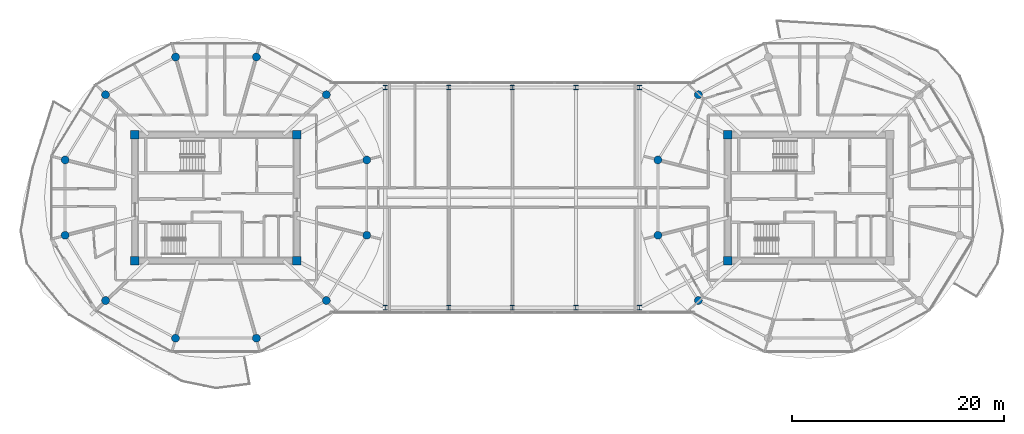
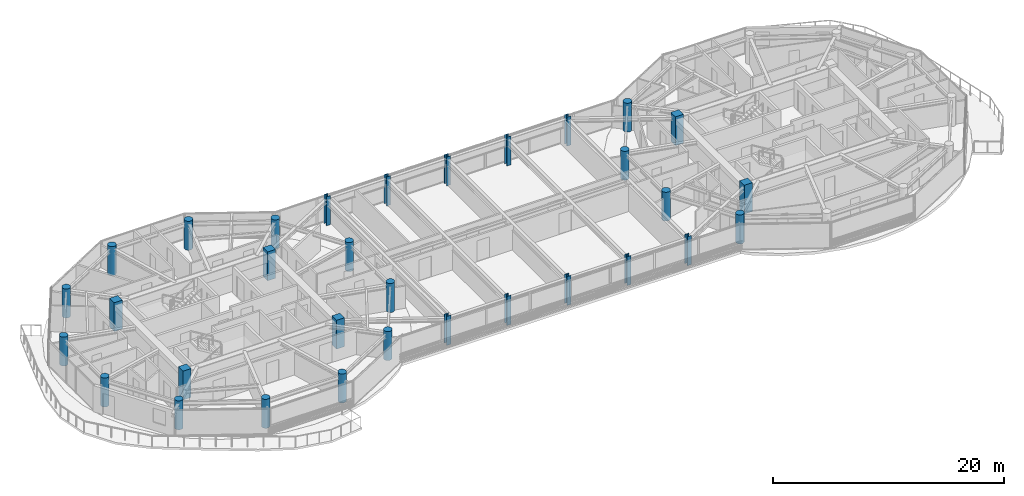
# One storey, part 1 of 23: 32 columns.
"""IFC4 building model written with IfcOpenShell, lengths in metres."""

from ifc_helpers import new_model, si_unit, direction, frame, origin, origin_2d, place, context, subcontext, project, spatial, rectangle, circle, i_section, extrude, source, transform, mapped, material, material_profile, profile_set, type_object, type_shapes, element, save


model = new_model("IFC4")

# Units and contexts
model_context = context("Model", 3, precision=1e-05, world=origin(), true_north=direction((0.0, 1.0)))
body_context = subcontext(model_context, "Body", "Model", "MODEL_VIEW")
ifc_project = project(units=[si_unit("LENGTHUNIT", "METRE"), si_unit("AREAUNIT", "SQUARE_METRE"), si_unit("VOLUMEUNIT", "CUBIC_METRE"), si_unit("PLANEANGLEUNIT", "RADIAN"), si_unit("MASSUNIT", "GRAM", prefix="KILO")], contexts=[model_context])

# Site, building, storey
site_placement = place(None, origin())
site = spatial("IfcSite", under=ifc_project, at=site_placement, CompositionType="ELEMENT")
building_placement = place(site_placement, origin())
building = spatial("IfcBuilding", under=site, at=building_placement, Name="Norrkilde Senior Care Towers", CompositionType="ELEMENT")
storey_placement = place(building_placement, frame((0.0, 0.0, 220.0)))
storey = spatial("IfcBuildingStorey", under=building, at=storey_placement, Name="L68", CompositionType="ELEMENT", Elevation=220.0)

# Columns
ifc_material_1 = material(Name="Concrete C60/75", Category="concrete")
ifc_material_profile_1 = material_profile(ifc_material_1, rectangle(XDim=0.800048828125, YDim=0.800048828125, at=origin_2d()), Name="RC COL 800x800")
ifc_profile_set_1 = profile_set([ifc_material_profile_1], Name="Concrete C60/75")
column_type_1 = type_object("IfcColumnType", Name="Column Core Corner Z3-Z4 800", PredefinedType="COLUMN", material=ifc_profile_set_1)
shared_shape_1 = source(origin(), body_context, "Body", "SweptSolid", [
    extrude(rectangle(XDim=0.800048828125, YDim=0.800048828125, at=origin_2d()), origin(), (0.0, 0.0, 1.0), 3.050048828125),
])
type_shapes(column_type_1, [shared_shape_1])
for number, where, z_axis, x_axis, name in (
    (1, (-35.64990234375, -5.949951171875, 0.0), (0.0, 0.0, 1.0), (1.0, 0.0, 0.0), "L68 Core W Corner Column 1"),
    (2, (-20.35009765625, -5.949951171875, 0.0), (0.0, 0.0, 1.0), (1.0, 0.0, 0.0), "L68 Core W Corner Column 2"),
    (3, (-20.35009765625, 5.949951171875, 0.0), (0.0, 0.0, 1.0), (1.0, 0.0, 0.0), "L68 Core W Corner Column 3"),
    (4, (-35.64990234375, 5.949951171875, 0.0), (0.0, 0.0, 1.0), (1.0, 0.0, 0.0), "L68 Core W Corner Column 4"),
    (5, (20.35009765625, -5.949951171875, 0.0), (0.0, 0.0, 1.0), (1.0, 0.0, 0.0), "L68 Core E Corner Column 1"),
    (6, (20.35009765625, 5.949951171875, 0.0), (0.0, 0.0, 1.0), (1.0, 0.0, 0.0), "L68 Core E Corner Column 4"),
):
    element("IfcColumn", number, at=place(storey_placement, frame(where, z_axis=z_axis, x_axis=x_axis)), inside=storey, type_object=column_type_1, Name=name, PredefinedType="COLUMN", context=body_context, shape_type="MappedRepresentation", body=[
        mapped(shared_shape_1, transform((0.0, 0.0, 0.0), x_axis=(1.0, 0.0, 0.0), y_axis=(0.0, 1.0, 0.0), z_axis=(0.0, 0.0, 1.0), scale=1.0)),
    ])
ifc_material_2 = material(Name="Concrete C50/60", Category="concrete")
ifc_material_profile_2 = material_profile(ifc_material_2, circle(Radius=0.375, at=origin_2d()), Name="RC CIR 750")
ifc_profile_set_2 = profile_set([ifc_material_profile_2], Name="Concrete C50/60")
column_type_2 = type_object("IfcColumnType", Name="Column Perimeter Z4 750", PredefinedType="COLUMN", material=ifc_profile_set_2)
shared_shape_2 = source(origin(), body_context, "Body", "SweptSolid", [
    extrude(circle(Radius=0.375, at=origin_2d()), origin(), (0.0, 0.0, 1.0), 3.050048828125),
])
type_shapes(column_type_2, [shared_shape_2])
for number, where, z_axis, x_axis, name in (
    (7, (-13.752685546875, 3.558837890625, 0.0), (0.0, 0.0, 1.0), (1.0, 0.0, 0.0), "L68 Drum W Perimeter Column 01"),
    (8, (-17.570068359375, 9.72265625, 0.0), (0.0, 0.0, 1.0), (1.0, 0.0, 0.0), "L68 Drum W Perimeter Column 02"),
    (9, (-24.182373046875, 13.281494140625, 0.0), (0.0, 0.0, 1.0), (1.0, 0.0, 0.0), "L68 Drum W Perimeter Column 03"),
    (10, (-31.817626953125, 13.281494140625, 0.0), (0.0, 0.0, 1.0), (1.0, 0.0, 0.0), "L68 Drum W Perimeter Column 04"),
    (11, (-38.429931640625, 9.72265625, 0.0), (0.0, 0.0, 1.0), (1.0, 0.0, 0.0), "L68 Drum W Perimeter Column 05"),
    (12, (-42.247314453125, 3.558837890625, 0.0), (0.0, 0.0, 1.0), (1.0, 0.0, 0.0), "L68 Drum W Perimeter Column 06"),
    (13, (-42.247314453125, -3.558837890625, 0.0), (0.0, 0.0, 1.0), (1.0, 0.0, 0.0), "L68 Drum W Perimeter Column 07"),
    (14, (-38.429931640625, -9.72265625, 0.0), (0.0, 0.0, 1.0), (1.0, 0.0, 0.0), "L68 Drum W Perimeter Column 08"),
    (15, (-31.817626953125, -13.281494140625, 0.0), (0.0, 0.0, 1.0), (1.0, 0.0, 0.0), "L68 Drum W Perimeter Column 09"),
    (16, (-24.182373046875, -13.281494140625, 0.0), (0.0, 0.0, 1.0), (1.0, 0.0, 0.0), "L68 Drum W Perimeter Column 10"),
    (17, (-17.570068359375, -9.72265625, 0.0), (0.0, 0.0, 1.0), (1.0, 0.0, 0.0), "L68 Drum W Perimeter Column 11"),
    (18, (-13.752685546875, -3.558837890625, 0.0), (0.0, 0.0, 1.0), (1.0, 0.0, 0.0), "L68 Drum W Perimeter Column 12"),
    (19, (17.570068359375, 9.72265625, 0.0), (0.0, 0.0, 1.0), (1.0, 0.0, 0.0), "L68 Drum E Perimeter Column 05"),
    (20, (13.752685546875, 3.558837890625, 0.0), (0.0, 0.0, 1.0), (1.0, 0.0, 0.0), "L68 Drum E Perimeter Column 06"),
    (21, (13.752685546875, -3.558837890625, 0.0), (0.0, 0.0, 1.0), (1.0, 0.0, 0.0), "L68 Drum E Perimeter Column 07"),
    (22, (17.570068359375, -9.72265625, 0.0), (0.0, 0.0, 1.0), (1.0, 0.0, 0.0), "L68 Drum E Perimeter Column 08"),
):
    element("IfcColumn", number, at=place(storey_placement, frame(where, z_axis=z_axis, x_axis=x_axis)), inside=storey, type_object=column_type_2, Name=name, PredefinedType="COLUMN", context=body_context, shape_type="MappedRepresentation", body=[
        mapped(shared_shape_2, transform((0.0, 0.0, 0.0), x_axis=(1.0, 0.0, 0.0), y_axis=(0.0, 1.0, 0.0), z_axis=(0.0, 0.0, 1.0), scale=1.0)),
    ])
ifc_material_3 = material(Name="Steel S355", Category="steel")
ifc_material_profile_3 = material_profile(ifc_material_3, i_section(OverallWidth=0.406982421875, OverallDepth=0.43505859375, WebThickness=0.02392578125, FlangeThickness=0.0390625, FilletRadius=0.014892578125, at=origin_2d()), Name="HD 400x421")
ifc_profile_set_3 = profile_set([ifc_material_profile_3], Name="Steel S355")
column_type_3 = type_object("IfcColumnType", Name="Column Bridge Frame HD400", PredefinedType="COLUMN", material=ifc_profile_set_3)
shared_shape_3 = source(origin(), body_context, "Body", "SweptSolid", [
    extrude(i_section(OverallWidth=0.406982421875, OverallDepth=0.43505859375, WebThickness=0.02392578125, FlangeThickness=0.0390625, FilletRadius=0.014892578125, at=origin_2d()), origin(), (0.0, 0.0, 1.0), 3.050048828125),
])
type_shapes(column_type_3, [shared_shape_3])
for number, where, z_axis, x_axis, name in (
    (23, (-12.0, -10.39990234375, 0.0), (0.0, 0.0, 1.0), (1.0, 0.0, 0.0), "L68 Sky-Gate Bridge Column -12.1"),
    (24, (-12.0, 10.39990234375, 0.0), (0.0, 0.0, 1.0), (1.0, 0.0, 0.0), "L68 Sky-Gate Bridge Column -12.2"),
    (25, (-6.0, -10.39990234375, 0.0), (0.0, 0.0, 1.0), (1.0, 0.0, 0.0), "L68 Sky-Gate Bridge Column -6.1"),
    (26, (-6.0, 10.39990234375, 0.0), (0.0, 0.0, 1.0), (1.0, 0.0, 0.0), "L68 Sky-Gate Bridge Column -6.2"),
    (27, (0.0, -10.39990234375, 0.0), (0.0, 0.0, 1.0), (1.0, 0.0, 0.0), "L68 Sky-Gate Bridge Column +0.1"),
    (28, (0.0, 10.39990234375, 0.0), (0.0, 0.0, 1.0), (1.0, 0.0, 0.0), "L68 Sky-Gate Bridge Column +0.2"),
    (29, (6.0, -10.39990234375, 0.0), (0.0, 0.0, 1.0), (1.0, 0.0, 0.0), "L68 Sky-Gate Bridge Column +6.1"),
    (30, (6.0, 10.39990234375, 0.0), (0.0, 0.0, 1.0), (1.0, 0.0, 0.0), "L68 Sky-Gate Bridge Column +6.2"),
    (31, (12.0, -10.39990234375, 0.0), (0.0, 0.0, 1.0), (1.0, 0.0, 0.0), "L68 Sky-Gate Bridge Column +12.1"),
    (32, (12.0, 10.39990234375, 0.0), (0.0, 0.0, 1.0), (1.0, 0.0, 0.0), "L68 Sky-Gate Bridge Column +12.2"),
):
    element("IfcColumn", number, at=place(storey_placement, frame(where, z_axis=z_axis, x_axis=x_axis)), inside=storey, type_object=column_type_3, Name=name, PredefinedType="COLUMN", context=body_context, shape_type="MappedRepresentation", body=[
        mapped(shared_shape_3, transform((0.0, 0.0, 0.0), x_axis=(1.0, 0.0, 0.0), y_axis=(0.0, 1.0, 0.0), z_axis=(0.0, 0.0, 1.0), scale=1.0)),
    ])

save(model, "model.ifc")
